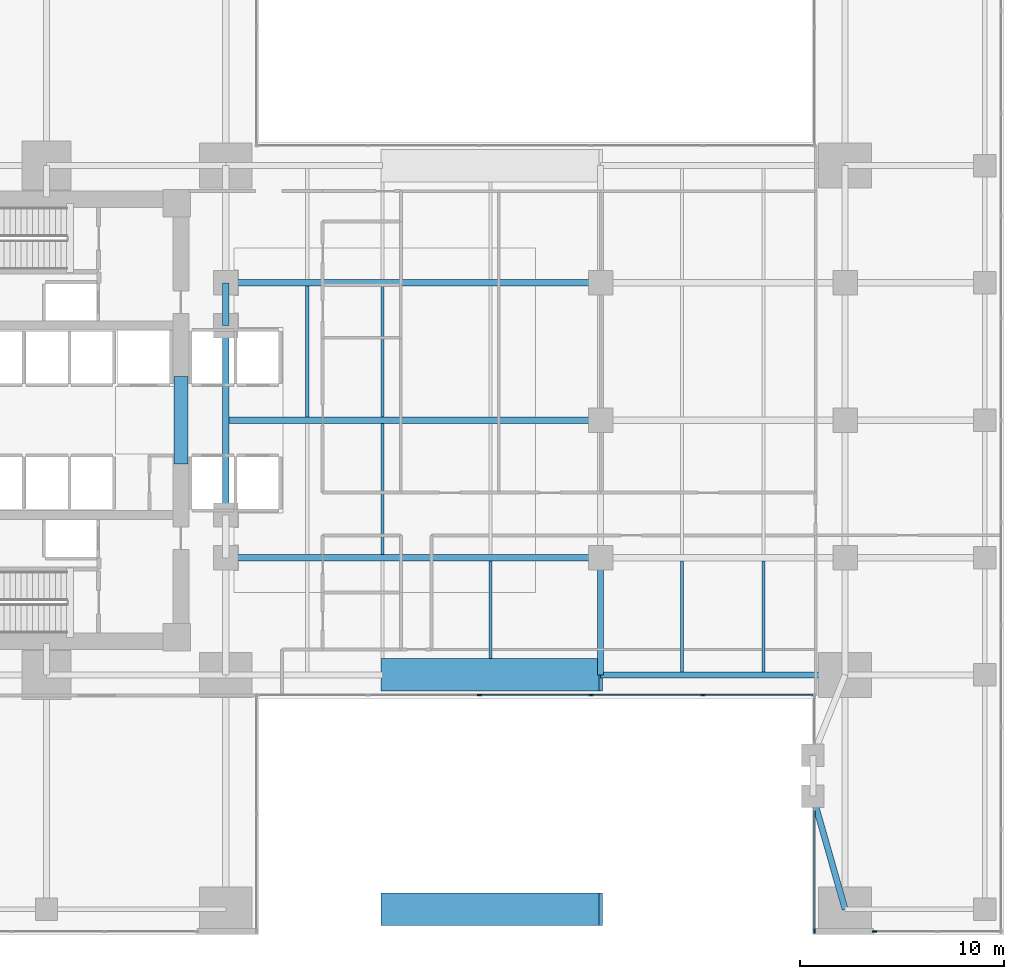
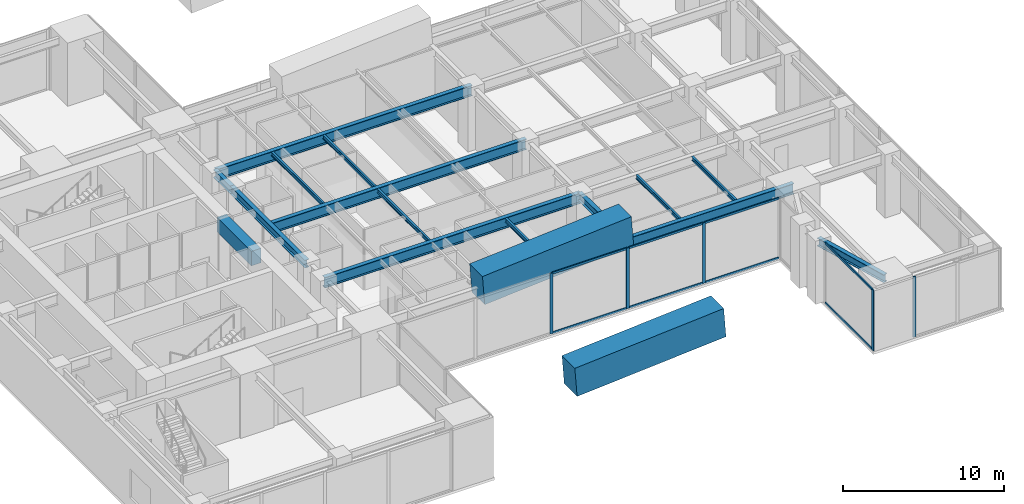
# One storey, part 3 of 13: 17 beams, 13 members, 3 elements without a shape of their own.
"""IFC4 building model written with IfcOpenShell, lengths in metres."""

import ifcopenshell
import ifcopenshell.guid

model = None  # the IFC model being written
_history = None  # IfcOwnerHistory: only IFC2X3 demands one
_inside = {}  # id of a spatial element -> (the spatial element, [elements in it])
_under = {}  # id of a project, library or spatial element -> (it, [spatial elements below it])
_declared = {}  # id of a project -> (the project, [libraries it declares])
_typed = {}  # id of a type object -> (the type object, [elements of that type])
_made_of = {}  # id of a material, layer set ... -> (it, [elements and type objects made of it])


def new_model(schema):
    """Start an empty IFC model of exactly this schema.

    Asked for "IFC4X3", IfcOpenShell would pick the latest addendum, in which some entities
    have other attributes; the version numbers below select the first issue.
    IFC2X3 requires an IfcOwnerHistory on every rooted entity: one is made here for all.
    """
    global model, _history
    if schema == "IFC4X3":
        model = ifcopenshell.file(schema_version=(4, 3, 0, 0))
    else:
        model = ifcopenshell.file(schema=schema)
    _inside.clear()
    _under.clear()
    _declared.clear()
    _typed.clear()
    _made_of.clear()
    _history = None
    if model.schema == "IFC2X3":
        org = make("IfcOrganization", Name="unknown")
        user = make(
            "IfcPersonAndOrganization",
            ThePerson=make("IfcPerson", FamilyName="unknown"),
            TheOrganization=org,
        )
        app = make(
            "IfcApplication",
            ApplicationDeveloper=org,
            Version="unknown",
            ApplicationFullName="unknown",
            ApplicationIdentifier="unknown",
        )
        _history = make(
            "IfcOwnerHistory",
            OwningUser=user,
            OwningApplication=app,
            ChangeAction="ADDED",
            CreationDate=0,
        )
    return model


def make(cls, **values):
    """One entity of the class cls with the attributes given. An attribute that is None is left unset."""
    return model.create_entity(
        cls, **{name: value for name, value in values.items() if value is not None}
    )


def rooted(cls, **values):
    """An entity with a GlobalId (a new one), such as an element, a storey or a relation."""
    return make(cls, GlobalId=ifcopenshell.guid.new(), OwnerHistory=_history, **values)


def si_unit(unit_type, name, prefix=None):
    """IfcSIUnit, for example si_unit("LENGTHUNIT", "METRE", prefix="MILLI")."""
    return make("IfcSIUnit", UnitType=unit_type, Prefix=prefix, Name=name)


def assignment(units):
    """IfcUnitAssignment: the units of a project."""
    return None if units is None else make("IfcUnitAssignment", Units=units)


def point(xyz):
    """IfcCartesianPoint."""
    return None if xyz is None else make("IfcCartesianPoint", Coordinates=xyz)


def direction(xyz):
    """IfcDirection."""
    return None if xyz is None else make("IfcDirection", DirectionRatios=xyz)


def frame(location, z_axis=None, x_axis=None):
    """IfcAxis2Placement3D, a coordinate frame: its origin and axes. An axis left out is left unset."""
    return make(
        "IfcAxis2Placement3D",
        Location=point(location),
        Axis=direction(z_axis),
        RefDirection=direction(x_axis),
    )


def frame_2d(location, x_axis=None):
    """IfcAxis2Placement2D, a coordinate frame in the plane: its origin and x axis."""
    return make(
        "IfcAxis2Placement2D", Location=point(location), RefDirection=direction(x_axis)
    )


def origin():
    """The frame at (0, 0, 0) with its axes left unset."""
    return frame((0.0, 0.0, 0.0))


def origin_2d():
    """The frame at (0, 0) in the plane with its x axis left unset."""
    return frame_2d((0.0, 0.0))


def place(relative_to, where):
    """IfcLocalPlacement: puts the frame where relative to a parent placement (None: the world)."""
    return make(
        "IfcLocalPlacement", PlacementRelTo=relative_to, RelativePlacement=where
    )


def context(
    kind, dimensions, precision=None, world=None, true_north=None, identifier=None
):
    """IfcGeometricRepresentationContext, for example the 3D "Model" context."""
    return make(
        "IfcGeometricRepresentationContext",
        ContextIdentifier=identifier,
        ContextType=kind,
        CoordinateSpaceDimension=dimensions,
        Precision=precision,
        WorldCoordinateSystem=world,
        TrueNorth=true_north,
    )


def subcontext(parent, identifier, kind, view, scale=None):
    """IfcGeometricRepresentationSubContext, for example "Body" below "Model"."""
    return make(
        "IfcGeometricRepresentationSubContext",
        ContextIdentifier=identifier,
        ContextType=kind,
        ParentContext=parent,
        TargetScale=scale,
        TargetView=view,
    )


def project(units=None, contexts=None):
    """IfcProject with its units and contexts."""
    return rooted(
        "IfcProject",
        Name="project",
        RepresentationContexts=contexts,
        UnitsInContext=assignment(units),
    )


def spatial(cls, under=None, at=None, **own):
    """A site, building, storey or space (cls), placed at a placement, below another one or the project."""
    s = rooted(cls, ObjectPlacement=at, **own)
    if under is not None:
        _under.setdefault(under.id(), (under, []))[1].append(s)
    return s


def profile(cls, at=None, kind="AREA", **sizes):
    """A parametric profile (cls). Its sizes go by their IFC names, for example OverallWidth=200.0."""
    return make(cls, ProfileType=kind, Position=at, **sizes)


def rectangle(**sizes):
    """IfcRectangleProfileDef."""
    return profile("IfcRectangleProfileDef", **sizes)


def i_section(**sizes):
    """IfcIShapeProfileDef."""
    return profile("IfcIShapeProfileDef", **sizes)


def extrude(swept, where, along, depth):
    """IfcExtrudedAreaSolid: the profile swept, set in the frame where, extruded along a direction by depth."""
    return make(
        "IfcExtrudedAreaSolid",
        SweptArea=swept,
        Position=where,
        ExtrudedDirection=direction(along),
        Depth=depth,
    )


def shape(context_of_items, identifier, shape_type, items):
    """IfcShapeRepresentation: the items that make up one representation, for example the "Body"."""
    return make(
        "IfcShapeRepresentation",
        ContextOfItems=context_of_items,
        RepresentationIdentifier=identifier,
        RepresentationType=shape_type,
        Items=items,
    )


def material(Name=None, Category=None):
    """IfcMaterial."""
    return make("IfcMaterial", Name=Name, Category=Category)


def layer(
    of_material, thickness, ventilated=None, Name=None, Category=None, Priority=None
):
    """IfcMaterialLayer: one layer of a wall or slab, of a material (None: an air gap)."""
    return make(
        "IfcMaterialLayer",
        Material=of_material,
        LayerThickness=thickness,
        IsVentilated=ventilated,
        Name=Name,
        Category=Category,
        Priority=Priority,
    )


def layer_set(layers, Name=None):
    """IfcMaterialLayerSet."""
    return make("IfcMaterialLayerSet", MaterialLayers=layers, LayerSetName=Name)


def material_profile(
    of_material, cross_section, Name=None, Category=None, Priority=None
):
    """IfcMaterialProfile: a cross section and its material."""
    return make(
        "IfcMaterialProfile",
        Name=Name,
        Material=of_material,
        Profile=cross_section,
        Priority=Priority,
        Category=Category,
    )


def profile_set(profiles, Name=None, composite=None):
    """IfcMaterialProfileSet."""
    return make(
        "IfcMaterialProfileSet",
        Name=Name,
        MaterialProfiles=profiles,
        CompositeProfile=composite,
    )


def made_of(thing, what):
    """Note that an element or type object is made of a material, layer set ...; save() writes the relation."""
    if what is not None:
        _made_of.setdefault(what.id(), (what, []))[1].append(thing)
    return thing


def type_object(cls, material=None, **own):
    """A type object (cls), such as IfcWallType, which elements share."""
    return made_of(rooted(cls, **own), material)


def element(
    cls,
    number,
    at=None,
    inside=None,
    cuts=None,
    type_object=None,
    material=None,
    context=None,
    identifier="Body",
    shape_type=None,
    held_by="IfcProductDefinitionShape",
    body=None,
    shapes=None,
    **own,
):
    """One element of the class cls, such as IfcWall. Its Tag is "e" and its number.

    at: its placement. inside: the storey or other place that contains it. cuts: it is an
    opening in that element (IfcRelVoidsElement). A single representation is given by context,
    identifier, shape_type and body (its items); several are given by shapes. held_by: the class
    of the entity that holds the representations. save() writes the other relations.
    """
    e = rooted(cls, Tag="e%d" % number, ObjectPlacement=at, **own)
    if body is not None:
        shapes = [shape(context, identifier, shape_type, body)]
    if shapes is not None:
        e.Representation = make(held_by, Representations=shapes)
    if inside is not None:
        _inside.setdefault(inside.id(), (inside, []))[1].append(e)
    if cuts is not None:
        rooted(
            "IfcRelVoidsElement", RelatingBuildingElement=cuts, RelatedOpeningElement=e
        )
    if type_object is not None:
        _typed.setdefault(type_object.id(), (type_object, []))[1].append(e)
    return made_of(e, material)


def aggregate(whole, parts):
    """IfcRelAggregates: a whole, such as a stair, and the parts it consists of."""
    return rooted("IfcRelAggregates", RelatingObject=whole, RelatedObjects=parts)


def save(model, path):
    """Write the relations noted so far, then the file.

    IfcRelAggregates (storeys below a building ...), IfcRelContainedInSpatialStructure (elements
    in a storey), IfcRelDefinesByType, IfcRelAssociatesMaterial and IfcRelDeclares: one each for
    every whole, place, type object, material and project.
    """
    for whole, parts in _under.values():
        aggregate(whole, parts)
    for where, things in _inside.values():
        rooted(
            "IfcRelContainedInSpatialStructure",
            RelatedElements=things,
            RelatingStructure=where,
        )
    for kind, things in _typed.values():
        rooted("IfcRelDefinesByType", RelatedObjects=things, RelatingType=kind)
    for what, things in _made_of.values():
        rooted("IfcRelAssociatesMaterial", RelatedObjects=things, RelatingMaterial=what)
    for by, libraries in _declared.values():
        rooted("IfcRelDeclares", RelatingContext=by, RelatedDefinitions=libraries)
    model.write(path)


model = new_model("IFC4")

# Units and contexts
model_context = context("Model", 3, precision=1e-05, world=origin(), true_north=direction((0.0, 1.0)))
body_context = subcontext(model_context, "Body", "Model", "MODEL_VIEW")
ifc_project = project(units=[si_unit("LENGTHUNIT", "METRE"), si_unit("AREAUNIT", "SQUARE_METRE"), si_unit("VOLUMEUNIT", "CUBIC_METRE"), si_unit("PLANEANGLEUNIT", "RADIAN"), si_unit("MASSUNIT", "GRAM", prefix="KILO")], contexts=[model_context])

# Site, building, storey
site_placement = place(None, origin())
site = spatial("IfcSite", under=ifc_project, at=site_placement, CompositionType="ELEMENT")
building_placement = place(site_placement, origin())
building = spatial("IfcBuilding", under=site, at=building_placement, Name="Kinhvarn Gate Tower", CompositionType="ELEMENT")
storey_placement = place(building_placement, frame((0.0, 0.0, 10.800048828125)))
storey = spatial("IfcBuildingStorey", under=building, at=storey_placement, Name="L02", CompositionType="ELEMENT", Elevation=10.800048828125)

# Beams
ifc_material_1 = material(Name="Concrete C70/85", Category="concrete")
ifc_material_profile_1 = material_profile(ifc_material_1, rectangle(XDim=1.60009765625, YDim=2.199951171875, at=origin_2d()), Name="RC 1600x2200")
ifc_profile_set_1 = profile_set([ifc_material_profile_1], Name="Concrete C70/85")
beam_type_1 = type_object("IfcBeamType", Name="BM-AR-2200", PredefinedType="BEAM", material=ifc_profile_set_1)
for number, where, z_axis, x_axis, name in (
    (1, (27.5, 1.25, 4.800048828125), (0.997217987756, 0.0, 0.074540491658), (0.0, 1.0, 0.0), "Portal Arch Crown Rib AR-02-1"),
    (2, (27.5, 12.75, 4.800048828125), (0.997217987756, 0.0, 0.074540491658), (0.0, 1.0, 0.0), "Portal Arch Crown Rib AR-02-2"),
):
    element("IfcBeam", number, at=place(storey_placement, frame(where, z_axis=z_axis, x_axis=x_axis)), inside=storey, type_object=beam_type_1, Name=name, PredefinedType="BEAM", context=body_context, shape_type="SweptSolid", body=[
        extrude(rectangle(XDim=1.60009765625, YDim=2.199951171875, at=origin_2d()), origin(), (0.0, 0.0, 1.0), 10.729736328125),
    ])
ifc_material_profile_2 = material_profile(ifc_material_1, rectangle(XDim=0.699951171875, YDim=1.10009765625, at=origin_2d()), Name="RC 700x1100")
ifc_profile_set_2 = profile_set([ifc_material_profile_2], Name="Concrete C70/85")
beam_type_2 = type_object("IfcBeamType", Name="BM-CB-1100", PredefinedType="LINTEL", material=ifc_profile_set_2)
beam_1_placement = place(storey_placement, frame((17.60009765625, 23.10009765625, 4.050048828125), z_axis=(0.0, 1.0, 0.0), x_axis=(-1.0, 0.0, 0.0)))
element("IfcBeam", 3, at=beam_1_placement, inside=storey, type_object=beam_type_2, Name="Core East Portal Coupling Beam L02", PredefinedType="LINTEL", context=body_context, shape_type="SweptSolid", body=[
    extrude(rectangle(XDim=0.699951171875, YDim=1.10009765625, at=origin_2d()), origin(), (0.0, 0.0, 1.0), 4.2998046875),
])

# Curtain wall, member
ifc_material_2 = material(Name="Anodised aluminium AW-6063", Category="aluminium")
ifc_layer = layer(ifc_material_2, 0.219970703125)
ifc_layer_set = layer_set([ifc_layer], Name="Anodised aluminium AW-6063")
curtain_wall_type = type_object("IfcCurtainWallType", Name="CW-SYS-1", PredefinedType="NOTDEFINED", material=ifc_layer_set)
curtain_wall_1_placement = place(storey_placement, origin())
curtain_wall_1 = element("IfcCurtainWall", 4, at=curtain_wall_1_placement, inside=storey, type_object=curtain_wall_type, Name="Curtain Wall CW1 (L02)", PredefinedType="NOTDEFINED")
ifc_material_profile_3 = material_profile(ifc_material_2, rectangle(XDim=0.080078125, YDim=0.219970703125, at=origin_2d()), Name="ALU 80x220")
ifc_profile_set_3 = profile_set([ifc_material_profile_3], Name="Anodised aluminium AW-6063")
member_type_1 = type_object("IfcMemberType", Name="CW-MUL-220", PredefinedType="MULLION", material=ifc_profile_set_3)
member_1_placement = place(storey_placement, frame((51.639892578125, 0.14990234375, 0.0), z_axis=(0.0, 0.0, 1.0), x_axis=(0.0, 1.0, 0.0)))
member_1 = element("IfcMember", 5, at=member_1_placement, type_object=member_type_1, Name="CW1 mullion 1", PredefinedType="MULLION", context=body_context, shape_type="SweptSolid", body=[
    extrude(rectangle(XDim=0.080078125, YDim=0.219970703125, at=origin_2d()), origin(), (0.0, 0.0, 1.0), 4.599853515625),
])
aggregate(curtain_wall_1, [member_1])

# Curtain wall, members
curtain_wall_2_placement = place(storey_placement, origin())
curtain_wall_2 = element("IfcCurtainWall", 6, at=curtain_wall_2_placement, inside=storey, type_object=curtain_wall_type, Name="Curtain Wall CW1 (L02)", PredefinedType="NOTDEFINED")
member_2_placement = place(storey_placement, frame((32.261962890625, 11.760009765625, 0.0), z_axis=(0.0, 0.0, 1.0), x_axis=(0.0, 1.0, 0.0)))
member_2 = element("IfcMember", 7, at=member_2_placement, type_object=member_type_1, Name="CW1 mullion 3", PredefinedType="MULLION", context=body_context, shape_type="SweptSolid", body=[
    extrude(rectangle(XDim=0.080078125, YDim=0.219970703125, at=origin_2d()), origin(), (0.0, 0.0, 1.0), 4.599853515625),
])
member_3_placement = place(storey_placement, frame((37.738037109375, 11.760009765625, 0.0), z_axis=(0.0, 0.0, 1.0), x_axis=(0.0, 1.0, 0.0)))
member_3 = element("IfcMember", 8, at=member_3_placement, type_object=member_type_1, Name="CW1 mullion 4", PredefinedType="MULLION", context=body_context, shape_type="SweptSolid", body=[
    extrude(rectangle(XDim=0.080078125, YDim=0.219970703125, at=origin_2d()), origin(), (0.0, 0.0, 1.0), 4.599853515625),
])
member_4_placement = place(storey_placement, frame((43.214111328125, 11.760009765625, 0.0), z_axis=(0.0, 0.0, 1.0), x_axis=(0.0, 1.0, 0.0)))
member_4 = element("IfcMember", 9, at=member_4_placement, type_object=member_type_1, Name="CW1 mullion 5", PredefinedType="MULLION", context=body_context, shape_type="SweptSolid", body=[
    extrude(rectangle(XDim=0.080078125, YDim=0.219970703125, at=origin_2d()), origin(), (0.0, 0.0, 1.0), 4.599853515625),
])

# Curtain wall, member
curtain_wall_3_placement = place(storey_placement, origin())
curtain_wall_3 = element("IfcCurtainWall", 10, at=curtain_wall_3_placement, inside=storey, type_object=curtain_wall_type, Name="Curtain Wall CW1 (L02)", PredefinedType="NOTDEFINED")
member_5_placement = place(storey_placement, frame((48.68994140625, 0.18994140625, 0.0), z_axis=(0.0, 0.0, 1.0), x_axis=(1.0, 0.0, 0.0)))
member_5 = element("IfcMember", 11, at=member_5_placement, type_object=member_type_1, Name="CW1 mullion 2", PredefinedType="MULLION", context=body_context, shape_type="SweptSolid", body=[
    extrude(rectangle(XDim=0.080078125, YDim=0.219970703125, at=origin_2d()), origin(), (0.0, 0.0, 1.0), 4.599853515625),
])

# Member
ifc_material_profile_4 = material_profile(ifc_material_2, rectangle(XDim=0.080078125, YDim=0.159912109375, at=origin_2d()), Name="ALU 80x160")
ifc_profile_set_4 = profile_set([ifc_material_profile_4], Name="Anodised aluminium AW-6063")
member_type_2 = type_object("IfcMemberType", Name="CW-TRN-160", PredefinedType="USERDEFINED", material=ifc_profile_set_4)
member_6_placement = place(storey_placement, frame((32.302001953125, 11.760009765625, 0.0400390625), z_axis=(1.0, 0.0, 0.0), x_axis=(0.0, 1.0, 0.0)))
member_6 = element("IfcMember", 12, at=member_6_placement, type_object=member_type_2, Name="CW1 transom 3.1", ObjectType="TRANSOM", PredefinedType="USERDEFINED", context=body_context, shape_type="SweptSolid", body=[
    extrude(rectangle(XDim=0.080078125, YDim=0.159912109375, at=origin_2d()), origin(), (0.0, 0.0, 1.0), 5.39599609375),
])

member_7_placement = place(storey_placement, frame((32.302001953125, 11.760009765625, 4.56005859375), z_axis=(1.0, 0.0, 0.0), x_axis=(0.0, 1.0, 0.0)))
member_7 = element("IfcMember", 13, at=member_7_placement, type_object=member_type_2, Name="CW1 transom 3.2", ObjectType="TRANSOM", PredefinedType="USERDEFINED", context=body_context, shape_type="SweptSolid", body=[
    extrude(rectangle(XDim=0.080078125, YDim=0.159912109375, at=origin_2d()), origin(), (0.0, 0.0, 1.0), 5.39599609375),
])

member_8_placement = place(storey_placement, frame((37.778076171875, 11.760009765625, 0.0400390625), z_axis=(1.0, 0.0, 0.0), x_axis=(0.0, 1.0, 0.0)))
member_8 = element("IfcMember", 14, at=member_8_placement, type_object=member_type_2, Name="CW1 transom 4.1", ObjectType="TRANSOM", PredefinedType="USERDEFINED", context=body_context, shape_type="SweptSolid", body=[
    extrude(rectangle(XDim=0.080078125, YDim=0.159912109375, at=origin_2d()), origin(), (0.0, 0.0, 1.0), 5.39599609375),
])

member_9_placement = place(storey_placement, frame((37.778076171875, 11.760009765625, 4.56005859375), z_axis=(1.0, 0.0, 0.0), x_axis=(0.0, 1.0, 0.0)))
member_9 = element("IfcMember", 15, at=member_9_placement, type_object=member_type_2, Name="CW1 transom 4.2", ObjectType="TRANSOM", PredefinedType="USERDEFINED", context=body_context, shape_type="SweptSolid", body=[
    extrude(rectangle(XDim=0.080078125, YDim=0.159912109375, at=origin_2d()), origin(), (0.0, 0.0, 1.0), 5.39599609375),
])

member_10_placement = place(storey_placement, frame((43.25390625, 11.760009765625, 0.0400390625), z_axis=(1.0, 0.0, 0.0), x_axis=(0.0, 1.0, 0.0)))
member_10 = element("IfcMember", 16, at=member_10_placement, type_object=member_type_2, Name="CW1 transom 5.1", ObjectType="TRANSOM", PredefinedType="USERDEFINED", context=body_context, shape_type="SweptSolid", body=[
    extrude(rectangle(XDim=0.080078125, YDim=0.159912109375, at=origin_2d()), origin(), (0.0, 0.0, 1.0), 5.356201171875),
])

member_11_placement = place(storey_placement, frame((43.25390625, 11.760009765625, 4.56005859375), z_axis=(1.0, 0.0, 0.0), x_axis=(0.0, 1.0, 0.0)))
member_11 = element("IfcMember", 17, at=member_11_placement, type_object=member_type_2, Name="CW1 transom 5.2", ObjectType="TRANSOM", PredefinedType="USERDEFINED", context=body_context, shape_type="SweptSolid", body=[
    extrude(rectangle(XDim=0.080078125, YDim=0.159912109375, at=origin_2d()), origin(), (0.0, 0.0, 1.0), 5.356201171875),
])

aggregate(curtain_wall_2, [member_2, member_3, member_4, member_6, member_7, member_8, member_9, member_10, member_11])

member_12_placement = place(storey_placement, frame((48.68994140625, 6.090087890625, 0.0400390625), z_axis=(0.0, -1.0, 0.0), x_axis=(1.0, 0.0, 0.0)))
member_12 = element("IfcMember", 18, at=member_12_placement, type_object=member_type_2, Name="CW1 transom 1.1", ObjectType="TRANSOM", PredefinedType="USERDEFINED", context=body_context, shape_type="SweptSolid", body=[
    extrude(rectangle(XDim=0.080078125, YDim=0.159912109375, at=origin_2d()), origin(), (0.0, 0.0, 1.0), 5.860107421875),
])

member_13_placement = place(storey_placement, frame((48.68994140625, 6.090087890625, 4.56005859375), z_axis=(0.0, -1.0, 0.0), x_axis=(1.0, 0.0, 0.0)))
member_13 = element("IfcMember", 19, at=member_13_placement, type_object=member_type_2, Name="CW1 transom 1.2", ObjectType="TRANSOM", PredefinedType="USERDEFINED", context=body_context, shape_type="SweptSolid", body=[
    extrude(rectangle(XDim=0.080078125, YDim=0.159912109375, at=origin_2d()), origin(), (0.0, 0.0, 1.0), 5.860107421875),
])

aggregate(curtain_wall_3, [member_5, member_12, member_13])

# Beams
ifc_material_3 = material(Name="Steel S355", Category="steel")
ifc_material_profile_5 = material_profile(ifc_material_3, i_section(OverallWidth=0.300048828125, OverallDepth=0.60009765625, WebThickness=0.015380859375, FlangeThickness=0.030029296875, at=origin_2d()), Name="HEB 600")
ifc_profile_set_5 = profile_set([ifc_material_profile_5], Name="Steel S355")
beam_type_3 = type_object("IfcBeamType", Name="STL-HEB600", PredefinedType="BEAM", material=ifc_profile_set_5)
beam_2_placement = place(storey_placement, frame((48.6201171875, 6.800048828125, 4.300048828125), z_axis=(0.273776643474, -0.961793298733, 0.0), x_axis=(0.961793298733, 0.273776643474, 0.0)))
element("IfcBeam", 20, at=beam_2_placement, inside=storey, type_object=beam_type_3, Name="Floor Beam PG-16 (L02 TIE-SE1-AP)", PredefinedType="BEAM", context=body_context, shape_type="SweptSolid", body=[
    extrude(i_section(OverallWidth=0.300048828125, OverallDepth=0.60009765625, WebThickness=0.015380859375, FlangeThickness=0.030029296875, at=origin_2d()), origin(), (0.0, 0.0, 1.0), 5.7705078125),
])
beam_3_placement = place(storey_placement, frame((19.800048828125, 20.60009765625, 4.300048828125), z_axis=(0.0, 1.0, 0.0), x_axis=(-1.0, 0.0, 0.0)))
element("IfcBeam", 21, at=beam_3_placement, inside=storey, type_object=beam_type_3, Name="Floor Beam PG-16 (L02 APW-4)", PredefinedType="BEAM", context=body_context, shape_type="SweptSolid", body=[
    extrude(i_section(OverallWidth=0.300048828125, OverallDepth=0.60009765625, WebThickness=0.015380859375, FlangeThickness=0.030029296875, at=origin_2d()), origin(), (0.0, 0.0, 1.0), 9.2998046875),
])
beam_4_placement = place(storey_placement, frame((19.800048828125, 29.89990234375, 4.300048828125), z_axis=(0.0, 1.0, 0.0), x_axis=(-1.0, 0.0, 0.0)))
element("IfcBeam", 22, at=beam_4_placement, inside=storey, type_object=beam_type_3, Name="Floor Beam PG-16 (L02 APW-5)", PredefinedType="BEAM", context=body_context, shape_type="SweptSolid", body=[
    extrude(i_section(OverallWidth=0.300048828125, OverallDepth=0.60009765625, WebThickness=0.015380859375, FlangeThickness=0.030029296875, at=origin_2d()), origin(), (0.0, 0.0, 1.0), 2.10009765625),
])
beam_5_placement = place(storey_placement, frame((38.199951171875, 12.75, 4.300048828125), z_axis=(0.0, 1.0, 0.0), x_axis=(-1.0, 0.0, 0.0)))
element("IfcBeam", 23, at=beam_5_placement, inside=storey, type_object=beam_type_3, Name="Floor Beam PG-16 (L02 POD-NS38-12)", PredefinedType="BEAM", context=body_context, shape_type="SweptSolid", body=[
    extrude(i_section(OverallWidth=0.300048828125, OverallDepth=0.60009765625, WebThickness=0.015380859375, FlangeThickness=0.030029296875, at=origin_2d()), origin(), (0.0, 0.0, 1.0), 5.75),
])
ifc_material_profile_6 = material_profile(ifc_material_3, i_section(OverallWidth=0.300048828125, OverallDepth=0.800048828125, WebThickness=0.017578125, FlangeThickness=0.032958984375, at=origin_2d()), Name="HEB 800")
ifc_profile_set_6 = profile_set([ifc_material_profile_6], Name="Steel S355")
beam_type_4 = type_object("IfcBeamType", Name="STL-HEB800", PredefinedType="BEAM", material=ifc_profile_set_6)
beam_6_placement = place(storey_placement, frame((38.199951171875, 12.75, 4.199951171875), z_axis=(1.0, 0.0, 0.0), x_axis=(0.0, 1.0, 0.0)))
element("IfcBeam", 24, at=beam_6_placement, inside=storey, type_object=beam_type_4, Name="Floor Beam PG-19 (L02 POD-S3)", PredefinedType="BEAM", context=body_context, shape_type="SweptSolid", body=[
    extrude(i_section(OverallWidth=0.300048828125, OverallDepth=0.800048828125, WebThickness=0.017578125, FlangeThickness=0.032958984375, at=origin_2d()), origin(), (0.0, 0.0, 1.0), 12.0),
])
for number, where, z_axis, x_axis, name in (
    (25, (19.800048828125, 18.5, 4.199951171875), (1.0, 0.0, 0.0), (0.0, 1.0, 0.0), "Floor Beam PG-19 (L02 POD-EW1-18)"),
    (26, (19.800048828125, 25.25, 4.199951171875), (1.0, 0.0, 0.0), (0.0, 1.0, 0.0), "Floor Beam PG-19 (L02 POD-EW1-25)"),
    (27, (19.800048828125, 32.0, 4.199951171875), (1.0, 0.0, 0.0), (0.0, 1.0, 0.0), "Floor Beam PG-19 (L02 POD-EW1-32)"),
):
    element("IfcBeam", number, at=place(storey_placement, frame(where, z_axis=z_axis, x_axis=x_axis)), inside=storey, type_object=beam_type_4, Name=name, PredefinedType="BEAM", context=body_context, shape_type="SweptSolid", body=[
        extrude(i_section(OverallWidth=0.300048828125, OverallDepth=0.800048828125, WebThickness=0.017578125, FlangeThickness=0.032958984375, at=origin_2d()), origin(), (0.0, 0.0, 1.0), 18.39990234375),
    ])
ifc_material_profile_7 = material_profile(ifc_material_3, i_section(OverallWidth=0.14990234375, OverallDepth=0.300048828125, WebThickness=0.007080078125, FlangeThickness=0.0107421875, at=origin_2d()), Name="IPE 300")
ifc_profile_set_7 = profile_set([ifc_material_profile_7], Name="Steel S355")
beam_type_5 = type_object("IfcBeamType", Name="STL-IPE300", PredefinedType="JOIST", material=ifc_profile_set_7)
beam_7_placement = place(storey_placement, frame((32.800048828125, 13.550048828125, 4.449951171875), z_axis=(0.0, 1.0, 0.0), x_axis=(-1.0, 0.0, 0.0)))
element("IfcBeam", 28, at=beam_7_placement, inside=storey, type_object=beam_type_5, Name="Floor Joist SB-02 (L02 POD-J328-12)", PredefinedType="JOIST", context=body_context, shape_type="SweptSolid", body=[
    extrude(i_section(OverallWidth=0.14990234375, OverallDepth=0.300048828125, WebThickness=0.007080078125, FlangeThickness=0.0107421875, at=origin_2d()), origin(), (0.0, 0.0, 1.0), 4.800048828125),
])
for number, where, z_axis, x_axis, name in (
    (29, (42.199951171875, 12.89990234375, 4.449951171875), (0.0, 1.0, 0.0), (-1.0, 0.0, 0.0), "Floor Joist SB-02 (L02 POD-J422-12)"),
    (30, (46.199951171875, 12.89990234375, 4.449951171875), (0.0, 1.0, 0.0), (-1.0, 0.0, 0.0), "Floor Joist SB-02 (L02 POD-J462-12)"),
):
    element("IfcBeam", number, at=place(storey_placement, frame(where, z_axis=z_axis, x_axis=x_axis)), inside=storey, type_object=beam_type_5, Name=name, PredefinedType="JOIST", context=body_context, shape_type="SweptSolid", body=[
        extrude(i_section(OverallWidth=0.14990234375, OverallDepth=0.300048828125, WebThickness=0.007080078125, FlangeThickness=0.0107421875, at=origin_2d()), origin(), (0.0, 0.0, 1.0), 5.4501953125),
    ])
for number, where, z_axis, x_axis, name in (
    (31, (27.5, 18.64990234375, 4.449951171875), (0.0, 1.0, 0.0), (-1.0, 0.0, 0.0), "Floor Joist SB-02 (L02 POD-J275-18)"),
    (32, (23.800048828125, 25.39990234375, 4.449951171875), (0.0, 1.0, 0.0), (-1.0, 0.0, 0.0), "Floor Joist SB-02 (L02 POD-J238-25)"),
    (33, (27.5, 25.39990234375, 4.449951171875), (0.0, 1.0, 0.0), (-1.0, 0.0, 0.0), "Floor Joist SB-02 (L02 POD-J275-25)"),
):
    element("IfcBeam", number, at=place(storey_placement, frame(where, z_axis=z_axis, x_axis=x_axis)), inside=storey, type_object=beam_type_5, Name=name, PredefinedType="JOIST", context=body_context, shape_type="SweptSolid", body=[
        extrude(i_section(OverallWidth=0.14990234375, OverallDepth=0.300048828125, WebThickness=0.007080078125, FlangeThickness=0.0107421875, at=origin_2d()), origin(), (0.0, 0.0, 1.0), 6.4501953125),
    ])

save(model, "model.ifc")
